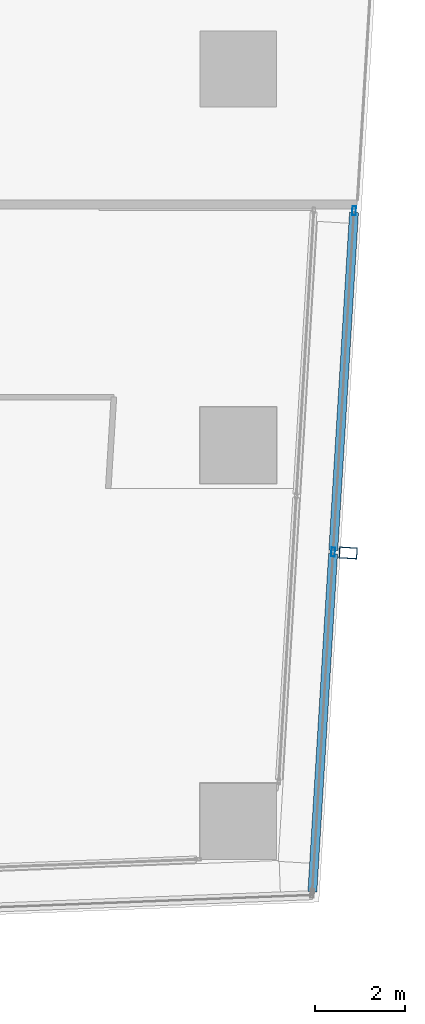
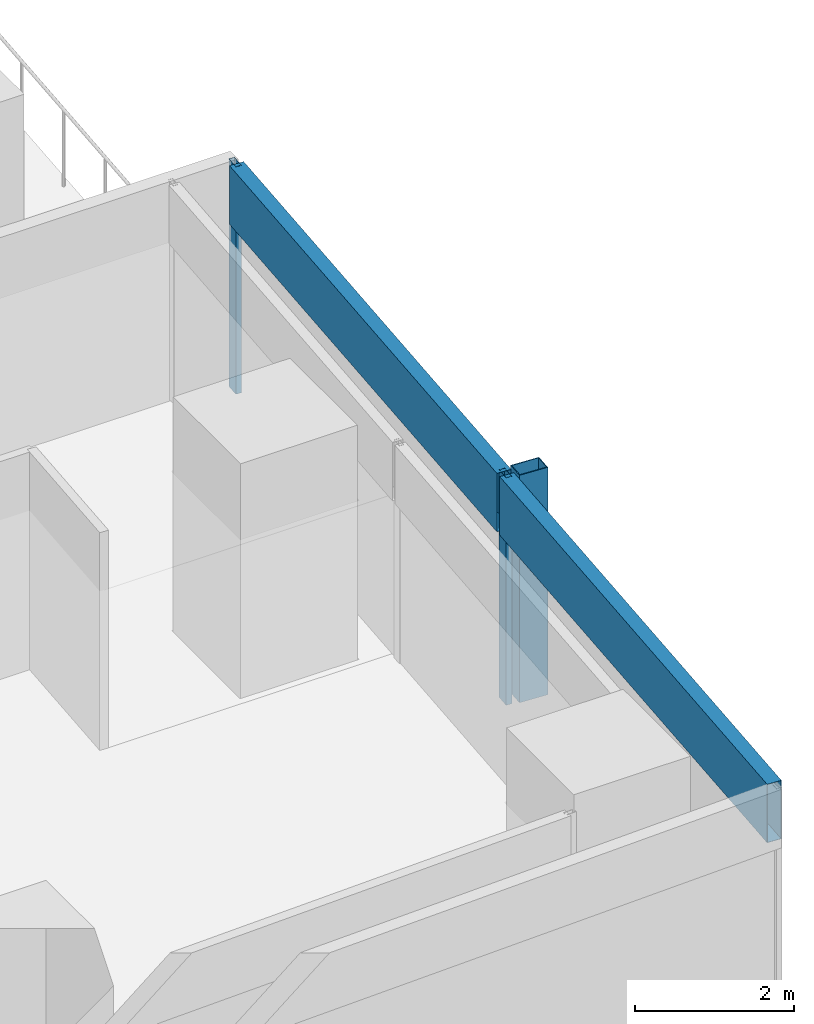
# One storey, part 25 of 40: 5 members, 1 element without a shape of its own.
"""IFC4 building model written with IfcOpenShell, lengths in metres."""

import ifcopenshell
import ifcopenshell.guid

model = None  # the IFC model being written
_history = None  # IfcOwnerHistory: only IFC2X3 demands one
_inside = {}  # id of a spatial element -> (the spatial element, [elements in it])
_under = {}  # id of a project, library or spatial element -> (it, [spatial elements below it])
_declared = {}  # id of a project -> (the project, [libraries it declares])
_typed = {}  # id of a type object -> (the type object, [elements of that type])
_made_of = {}  # id of a material, layer set ... -> (it, [elements and type objects made of it])


def new_model(schema):
    """Start an empty IFC model of exactly this schema.

    Asked for "IFC4X3", IfcOpenShell would pick the latest addendum, in which some entities
    have other attributes; the version numbers below select the first issue.
    IFC2X3 requires an IfcOwnerHistory on every rooted entity: one is made here for all.
    """
    global model, _history
    if schema == "IFC4X3":
        model = ifcopenshell.file(schema_version=(4, 3, 0, 0))
    else:
        model = ifcopenshell.file(schema=schema)
    _inside.clear()
    _under.clear()
    _declared.clear()
    _typed.clear()
    _made_of.clear()
    _history = None
    if model.schema == "IFC2X3":
        org = make("IfcOrganization", Name="unknown")
        user = make(
            "IfcPersonAndOrganization",
            ThePerson=make("IfcPerson", FamilyName="unknown"),
            TheOrganization=org,
        )
        app = make(
            "IfcApplication",
            ApplicationDeveloper=org,
            Version="unknown",
            ApplicationFullName="unknown",
            ApplicationIdentifier="unknown",
        )
        _history = make(
            "IfcOwnerHistory",
            OwningUser=user,
            OwningApplication=app,
            ChangeAction="ADDED",
            CreationDate=0,
        )
    return model


def make(cls, **values):
    """One entity of the class cls with the attributes given. An attribute that is None is left unset."""
    return model.create_entity(
        cls, **{name: value for name, value in values.items() if value is not None}
    )


def rooted(cls, **values):
    """An entity with a GlobalId (a new one), such as an element, a storey or a relation."""
    return make(cls, GlobalId=ifcopenshell.guid.new(), OwnerHistory=_history, **values)


def si_unit(unit_type, name, prefix=None):
    """IfcSIUnit, for example si_unit("LENGTHUNIT", "METRE", prefix="MILLI")."""
    return make("IfcSIUnit", UnitType=unit_type, Prefix=prefix, Name=name)


def assignment(units):
    """IfcUnitAssignment: the units of a project."""
    return None if units is None else make("IfcUnitAssignment", Units=units)


def point(xyz):
    """IfcCartesianPoint."""
    return None if xyz is None else make("IfcCartesianPoint", Coordinates=xyz)


def direction(xyz):
    """IfcDirection."""
    return None if xyz is None else make("IfcDirection", DirectionRatios=xyz)


def frame(location, z_axis=None, x_axis=None):
    """IfcAxis2Placement3D, a coordinate frame: its origin and axes. An axis left out is left unset."""
    return make(
        "IfcAxis2Placement3D",
        Location=point(location),
        Axis=direction(z_axis),
        RefDirection=direction(x_axis),
    )


def frame_2d(location, x_axis=None):
    """IfcAxis2Placement2D, a coordinate frame in the plane: its origin and x axis."""
    return make(
        "IfcAxis2Placement2D", Location=point(location), RefDirection=direction(x_axis)
    )


def origin():
    """The frame at (0, 0, 0) with its axes left unset."""
    return frame((0.0, 0.0, 0.0))


def origin_2d():
    """The frame at (0, 0) in the plane with its x axis left unset."""
    return frame_2d((0.0, 0.0))


def place(relative_to, where):
    """IfcLocalPlacement: puts the frame where relative to a parent placement (None: the world)."""
    return make(
        "IfcLocalPlacement", PlacementRelTo=relative_to, RelativePlacement=where
    )


def context(
    kind, dimensions, precision=None, world=None, true_north=None, identifier=None
):
    """IfcGeometricRepresentationContext, for example the 3D "Model" context."""
    return make(
        "IfcGeometricRepresentationContext",
        ContextIdentifier=identifier,
        ContextType=kind,
        CoordinateSpaceDimension=dimensions,
        Precision=precision,
        WorldCoordinateSystem=world,
        TrueNorth=true_north,
    )


def subcontext(parent, identifier, kind, view, scale=None):
    """IfcGeometricRepresentationSubContext, for example "Body" below "Model"."""
    return make(
        "IfcGeometricRepresentationSubContext",
        ContextIdentifier=identifier,
        ContextType=kind,
        ParentContext=parent,
        TargetScale=scale,
        TargetView=view,
    )


def project(units=None, contexts=None):
    """IfcProject with its units and contexts."""
    return rooted(
        "IfcProject",
        Name="project",
        RepresentationContexts=contexts,
        UnitsInContext=assignment(units),
    )


def spatial(cls, under=None, at=None, **own):
    """A site, building, storey or space (cls), placed at a placement, below another one or the project."""
    s = rooted(cls, ObjectPlacement=at, **own)
    if under is not None:
        _under.setdefault(under.id(), (under, []))[1].append(s)
    return s


def profile(cls, at=None, kind="AREA", **sizes):
    """A parametric profile (cls). Its sizes go by their IFC names, for example OverallWidth=200.0."""
    return make(cls, ProfileType=kind, Position=at, **sizes)


def hollow_rectangle(**sizes):
    """IfcRectangleHollowProfileDef."""
    return profile("IfcRectangleHollowProfileDef", **sizes)


def extrude(swept, where, along, depth):
    """IfcExtrudedAreaSolid: the profile swept, set in the frame where, extruded along a direction by depth."""
    return make(
        "IfcExtrudedAreaSolid",
        SweptArea=swept,
        Position=where,
        ExtrudedDirection=direction(along),
        Depth=depth,
    )


def shape(context_of_items, identifier, shape_type, items):
    """IfcShapeRepresentation: the items that make up one representation, for example the "Body"."""
    return make(
        "IfcShapeRepresentation",
        ContextOfItems=context_of_items,
        RepresentationIdentifier=identifier,
        RepresentationType=shape_type,
        Items=items,
    )


def material(Name=None, Category=None):
    """IfcMaterial."""
    return make("IfcMaterial", Name=Name, Category=Category)


def material_profile(
    of_material, cross_section, Name=None, Category=None, Priority=None
):
    """IfcMaterialProfile: a cross section and its material."""
    return make(
        "IfcMaterialProfile",
        Name=Name,
        Material=of_material,
        Profile=cross_section,
        Priority=Priority,
        Category=Category,
    )


def profile_set(profiles, Name=None, composite=None):
    """IfcMaterialProfileSet."""
    return make(
        "IfcMaterialProfileSet",
        Name=Name,
        MaterialProfiles=profiles,
        CompositeProfile=composite,
    )


def made_of(thing, what):
    """Note that an element or type object is made of a material, layer set ...; save() writes the relation."""
    if what is not None:
        _made_of.setdefault(what.id(), (what, []))[1].append(thing)
    return thing


def type_object(cls, material=None, **own):
    """A type object (cls), such as IfcWallType, which elements share."""
    return made_of(rooted(cls, **own), material)


def element(
    cls,
    number,
    at=None,
    inside=None,
    cuts=None,
    type_object=None,
    material=None,
    context=None,
    identifier="Body",
    shape_type=None,
    held_by="IfcProductDefinitionShape",
    body=None,
    shapes=None,
    **own,
):
    """One element of the class cls, such as IfcWall. Its Tag is "e" and its number.

    at: its placement. inside: the storey or other place that contains it. cuts: it is an
    opening in that element (IfcRelVoidsElement). A single representation is given by context,
    identifier, shape_type and body (its items); several are given by shapes. held_by: the class
    of the entity that holds the representations. save() writes the other relations.
    """
    e = rooted(cls, Tag="e%d" % number, ObjectPlacement=at, **own)
    if body is not None:
        shapes = [shape(context, identifier, shape_type, body)]
    if shapes is not None:
        e.Representation = make(held_by, Representations=shapes)
    if inside is not None:
        _inside.setdefault(inside.id(), (inside, []))[1].append(e)
    if cuts is not None:
        rooted(
            "IfcRelVoidsElement", RelatingBuildingElement=cuts, RelatedOpeningElement=e
        )
    if type_object is not None:
        _typed.setdefault(type_object.id(), (type_object, []))[1].append(e)
    return made_of(e, material)


def aggregate(whole, parts):
    """IfcRelAggregates: a whole, such as a stair, and the parts it consists of."""
    return rooted("IfcRelAggregates", RelatingObject=whole, RelatedObjects=parts)


def save(model, path):
    """Write the relations noted so far, then the file.

    IfcRelAggregates (storeys below a building ...), IfcRelContainedInSpatialStructure (elements
    in a storey), IfcRelDefinesByType, IfcRelAssociatesMaterial and IfcRelDeclares: one each for
    every whole, place, type object, material and project.
    """
    for whole, parts in _under.values():
        aggregate(whole, parts)
    for where, things in _inside.values():
        rooted(
            "IfcRelContainedInSpatialStructure",
            RelatedElements=things,
            RelatingStructure=where,
        )
    for kind, things in _typed.values():
        rooted("IfcRelDefinesByType", RelatedObjects=things, RelatingType=kind)
    for what, things in _made_of.values():
        rooted("IfcRelAssociatesMaterial", RelatedObjects=things, RelatingMaterial=what)
    for by, libraries in _declared.values():
        rooted("IfcRelDeclares", RelatingContext=by, RelatedDefinitions=libraries)
    model.write(path)


model = new_model("IFC4")

# Units and contexts
model_context = context("Model", 3, precision=1e-05, world=origin(), true_north=direction((0.0, 1.0)))
body_context = subcontext(model_context, "Body", "Model", "MODEL_VIEW")
ifc_project = project(units=[si_unit("LENGTHUNIT", "METRE"), si_unit("AREAUNIT", "SQUARE_METRE"), si_unit("VOLUMEUNIT", "CUBIC_METRE"), si_unit("PLANEANGLEUNIT", "RADIAN"), si_unit("MASSUNIT", "GRAM", prefix="KILO")], contexts=[model_context])

# Site, building, storey
site_placement = place(None, origin())
site = spatial("IfcSite", under=ifc_project, at=site_placement, CompositionType="ELEMENT")
building_placement = place(site_placement, origin())
building = spatial("IfcBuilding", under=site, at=building_placement, Name="Rekha Terrace Tower", CompositionType="ELEMENT")
storey_placement = place(building_placement, frame((0.0, 0.0, 129.050048828125)))
storey = spatial("IfcBuildingStorey", under=building, at=storey_placement, Name="L32", CompositionType="ELEMENT", Elevation=129.050048828125)

# Curtain wall, members
ifc_material_1 = material(Name="Aluminium framing", Category="aluminium")
curtain_wall_type = type_object("IfcCurtainWallType", Name="CW2 double skin outer glazing", PredefinedType="USERDEFINED", material=ifc_material_1)
curtain_wall_placement = place(storey_placement, origin())
curtain_wall = element("IfcCurtainWall", 1, at=curtain_wall_placement, inside=storey, type_object=curtain_wall_type, Name="CW2 double skin outer glazing", ObjectType="DOUBLE SKIN OUTER GLAZING", PredefinedType="USERDEFINED")
ifc_material_2 = material(Name="Steel S355 with fluorocarbon finish", Category="steel")
ifc_material_profile_1 = material_profile(ifc_material_2, hollow_rectangle(XDim=0.25, YDim=0.39990234375, WallThickness=0.012451171875, at=origin_2d()), Name="RHS400x250x12.5")
ifc_profile_set_1 = profile_set([ifc_material_profile_1], Name="Steel S355 with fluorocarbon finish")
member_type_1 = type_object("IfcMemberType", Name="BL1 facade blade RHS 400 x 250", PredefinedType="USERDEFINED", material=ifc_profile_set_1)
member_1_placement = place(storey_placement, frame((69.653076171875, 22.795654296875, 0.0), z_axis=(0.0, 0.0, 1.0), x_axis=(0.061160031881, 0.998127973008, 0.0)))
member_1 = element("IfcMember", 2, at=member_1_placement, type_object=member_type_1, Name="Facade blade", ObjectType="FACADE BLADE", PredefinedType="USERDEFINED", context=body_context, shape_type="SweptSolid", body=[
    extrude(hollow_rectangle(XDim=0.25, YDim=0.39990234375, WallThickness=0.012451171875, at=origin_2d()), origin(), (0.0, 0.0, 1.0), 3.5),
])
ifc_material_3 = material(Name="Aluminium mullion section", Category="aluminium")
ifc_material_profile_2 = material_profile(ifc_material_3, hollow_rectangle(XDim=0.080078125, YDim=0.199951171875, WallThickness=0.00390625, at=origin_2d()), Name="AL RHS 80x200")
ifc_profile_set_2 = profile_set([ifc_material_profile_2], Name="Aluminium mullion section")
member_type_2 = type_object("IfcMemberType", Name="CW2 mullion RHS 80 x 200", PredefinedType="MULLION", material=ifc_profile_set_2)
member_2_placement = place(storey_placement, frame((69.318603515625, 22.816162109375, 0.0), z_axis=(0.0, 0.0, 1.0), x_axis=(-0.998127987023, 0.061159803148, 0.0)))
member_2 = element("IfcMember", 3, at=member_2_placement, type_object=member_type_2, Name="CW2 mullion 2", PredefinedType="MULLION", context=body_context, shape_type="SweptSolid", body=[
    extrude(hollow_rectangle(XDim=0.080078125, YDim=0.199951171875, WallThickness=0.00390625, at=origin_2d()), origin(), (0.0, 0.0, 1.0), 3.5),
])
member_3_placement = place(storey_placement, frame((69.78564453125, 30.43798828125, 0.0), z_axis=(0.0, 0.0, 1.0), x_axis=(-0.998127987023, 0.061159803148, 0.0)))
member_3 = element("IfcMember", 4, at=member_3_placement, type_object=member_type_2, Name="CW2 mullion 3", PredefinedType="MULLION", context=body_context, shape_type="SweptSolid", body=[
    extrude(hollow_rectangle(XDim=0.080078125, YDim=0.199951171875, WallThickness=0.00390625, at=origin_2d()), origin(), (0.0, 0.0, 1.0), 3.5),
])
ifc_material_4 = material(Name="Insulated aluminium spandrel box", Category="aluminium")
ifc_material_profile_3 = material_profile(ifc_material_4, hollow_rectangle(XDim=0.199951171875, YDim=0.89990234375, WallThickness=0.0029296875, at=origin_2d()), Name="AL SPANDREL BOX 200x900")
ifc_profile_set_3 = profile_set([ifc_material_profile_3], Name="Insulated aluminium spandrel box")
member_type_3 = type_object("IfcMemberType", Name="CW2 spandrel transom 200 x 900", PredefinedType="USERDEFINED", material=ifc_profile_set_3)
member_4_placement = place(storey_placement, frame((68.85400390625, 15.234130859375, 3.050048828125), z_axis=(0.06116327453, 0.99812777431, 0.0), x_axis=(-0.99812777431, 0.06116327453, 0.0)))
member_4 = element("IfcMember", 5, at=member_4_placement, type_object=member_type_3, Name="CW2 spandrel transom 1", ObjectType="TRANSOM", PredefinedType="USERDEFINED", context=body_context, shape_type="SweptSolid", body=[
    extrude(hollow_rectangle(XDim=0.199951171875, YDim=0.89990234375, WallThickness=0.0029296875, at=origin_2d()), origin(), (0.0, 0.0, 1.0), 7.55615234375),
])
member_5_placement = place(storey_placement, frame((69.321044921875, 22.85595703125, 3.050048828125), z_axis=(0.061161302093, 0.998127895175, 0.0), x_axis=(-0.998127895175, 0.061161302093, 0.0)))
member_5 = element("IfcMember", 6, at=member_5_placement, type_object=member_type_3, Name="CW2 spandrel transom 2", ObjectType="TRANSOM", PredefinedType="USERDEFINED", context=body_context, shape_type="SweptSolid", body=[
    extrude(hollow_rectangle(XDim=0.199951171875, YDim=0.89990234375, WallThickness=0.0029296875, at=origin_2d()), origin(), (0.0, 0.0, 1.0), 7.556396484375),
])
aggregate(curtain_wall, [member_2, member_3, member_4, member_5, member_1])

save(model, "model.ifc")
